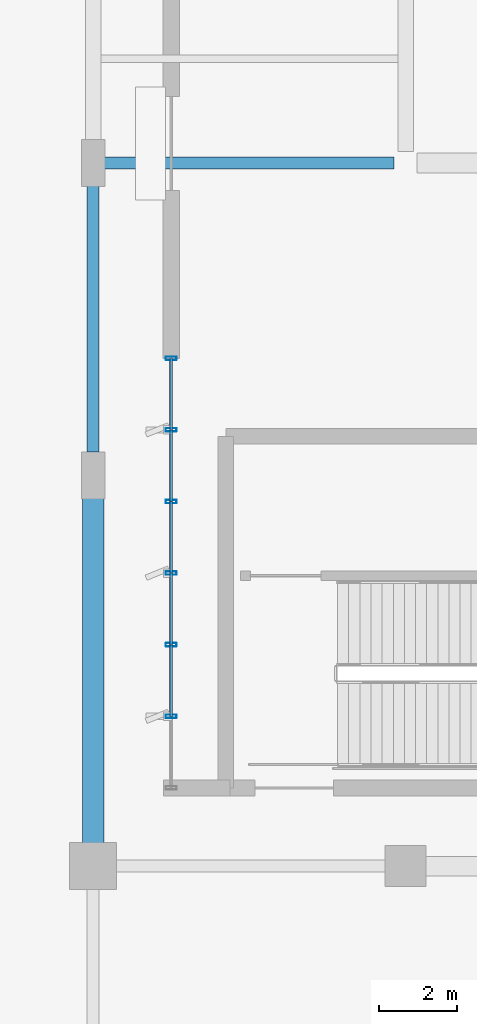
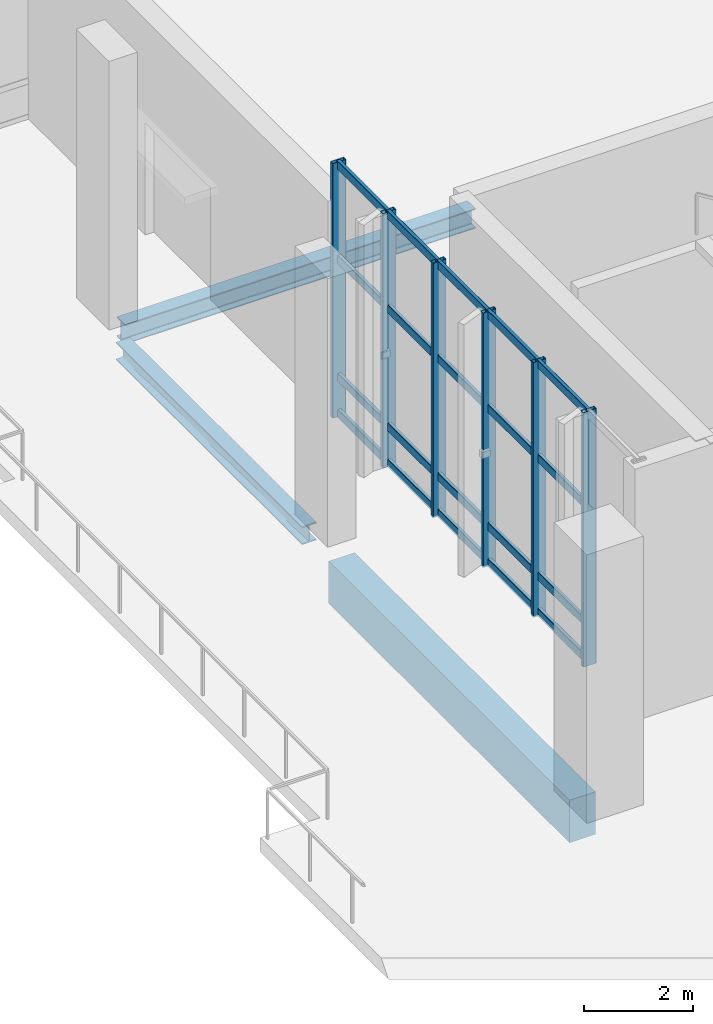
# One storey, part 34 of 163: 26 members, 3 beams, 1 element without a shape of its own.
"""IFC4 building model written with IfcOpenShell, lengths in metres."""

from ifc_helpers import new_model, si_unit, direction, frame, origin, origin_2d, place, context, subcontext, project, spatial, rectangle, hollow_rectangle, i_section, extrude, material, layer, layer_set, material_profile, profile_set, type_object, element, aggregate, save


model = new_model("IFC4")

# Units and contexts
model_context = context("Model", 3, precision=1e-05, world=origin(), true_north=direction((0.0, 1.0)))
body_context = subcontext(model_context, "Body", "Model", "MODEL_VIEW")
ifc_project = project(units=[si_unit("LENGTHUNIT", "METRE"), si_unit("AREAUNIT", "SQUARE_METRE"), si_unit("VOLUMEUNIT", "CUBIC_METRE"), si_unit("PLANEANGLEUNIT", "RADIAN"), si_unit("MASSUNIT", "GRAM", prefix="KILO")], contexts=[model_context])

# Site, building, storey
site_placement = place(None, origin())
site = spatial("IfcSite", under=ifc_project, at=site_placement, CompositionType="ELEMENT")
building_placement = place(site_placement, origin())
building = spatial("IfcBuilding", under=site, at=building_placement, Name="Khorjan Park Terminus", CompositionType="ELEMENT")
storey_placement = place(building_placement, origin())
storey = spatial("IfcBuildingStorey", under=building, at=storey_placement, Name="L00", CompositionType="ELEMENT", Elevation=0.0)

# Beams
ifc_material_1 = material(Name="Steel S355", Category="steel")
ifc_material_profile_1 = material_profile(ifc_material_1, i_section(OverallWidth=0.3, OverallDepth=0.44, WebThickness=0.0115, FlangeThickness=0.021, FilletRadius=0.027, at=origin_2d()), Name="HEA 450")
ifc_profile_set_1 = profile_set([ifc_material_profile_1], Name="Steel S355")
beam_type_1 = type_object("IfcBeamType", Name="BM-HEA450", PredefinedType="BEAM", material=ifc_profile_set_1)
beam_1_placement = place(storey_placement, frame((48.295, 44.0, -0.58), z_axis=(1.0, 0.0, 0.0), x_axis=(0.0, 1.0, 0.0)))
element("IfcBeam", 1, at=beam_1_placement, inside=storey, type_object=beam_type_1, Name="Primary floor girder SB-A45 (L00)", PredefinedType="BEAM", context=body_context, shape_type="SweptSolid", body=[
    extrude(i_section(OverallWidth=0.3, OverallDepth=0.44, WebThickness=0.0115, FlangeThickness=0.021, FilletRadius=0.027, at=origin_2d()), origin(), (0.0, 0.0, 1.0), 7.41),
])
ifc_material_profile_2 = material_profile(ifc_material_1, i_section(OverallWidth=0.3, OverallDepth=0.4, WebThickness=0.0135, FlangeThickness=0.024, FilletRadius=0.027, at=origin_2d()), Name="HEB 400")
ifc_profile_set_2 = profile_set([ifc_material_profile_2], Name="Steel S355")
beam_type_2 = type_object("IfcBeamType", Name="BM-HEB400", PredefinedType="BEAM", material=ifc_profile_set_2)
beam_2_placement = place(storey_placement, frame((48.0, 36.595, -0.52), z_axis=(0.0, 1.0, 0.0), x_axis=(-1.0, 0.0, 0.0)))
element("IfcBeam", 2, at=beam_2_placement, inside=storey, type_object=beam_type_2, Name="Primary floor girder SB-B40 (L00)", PredefinedType="BEAM", context=body_context, shape_type="SweptSolid", body=[
    extrude(i_section(OverallWidth=0.3, OverallDepth=0.4, WebThickness=0.0135, FlangeThickness=0.024, FilletRadius=0.027, at=origin_2d()), origin(), (0.0, 0.0, 1.0), 6.81),
])
ifc_material_2 = material(Name="Concrete C40/50", Category="concrete")
ifc_material_profile_3 = material_profile(ifc_material_2, rectangle(XDim=0.55, YDim=0.95, at=origin_2d()), Name="RC 550x950")
ifc_profile_set_3 = profile_set([ifc_material_profile_3], Name="Concrete C40/50")
beam_type_3 = type_object("IfcBeamType", Name="BM-RC550x950", PredefinedType="BEAM", material=ifc_profile_set_3)
beam_3_placement = place(storey_placement, frame((48.0, 26.595, -0.795), z_axis=(0.0, 1.0, 0.0), x_axis=(-1.0, 0.0, 0.0)))
element("IfcBeam", 3, at=beam_3_placement, inside=storey, type_object=beam_type_3, Name="Primary floor girder GB-95 (L00)", PredefinedType="BEAM", context=body_context, shape_type="SweptSolid", body=[
    extrude(rectangle(XDim=0.55, YDim=0.95, at=origin_2d()), origin(), (0.0, 0.0, 1.0), 8.81),
])

# Curtain wall, members
ifc_material_3 = material(Name="Anodized Bronze Aluminium", Category="aluminium")
ifc_layer = layer(ifc_material_3, 0.22)
ifc_layer_set = layer_set([ifc_layer], Name="Anodized Bronze Aluminium")
curtain_wall_type = type_object("IfcCurtainWallType", Name="CW-CONC-A", PredefinedType="NOTDEFINED", material=ifc_layer_set)
curtain_wall_placement = place(storey_placement, origin())
curtain_wall = element("IfcCurtainWall", 4, at=curtain_wall_placement, inside=storey, type_object=curtain_wall_type, Name="Unitized curtain wall CW-A (CW-V2-W-L00-01)", PredefinedType="NOTDEFINED")
ifc_material_profile_4 = material_profile(ifc_material_3, hollow_rectangle(XDim=0.09, YDim=0.28, WallThickness=0.006, InnerFilletRadius=0.006, OuterFilletRadius=0.012, at=origin_2d()), Name="ALM 90x280x6")
ifc_profile_set_4 = profile_set([ifc_material_profile_4], Name="Anodized Bronze Aluminium")
member_type_1 = type_object("IfcMemberType", Name="ML-ALM-280", PredefinedType="MULLION", material=ifc_profile_set_4)
member_1_placement = place(storey_placement, frame((50.0, 39.0, -0.035), z_axis=(0.0, 0.0, 1.0), x_axis=(0.0, -1.0, 0.0)))
member_1 = element("IfcMember", 5, at=member_1_placement, type_object=member_type_1, Name="Curtain-wall mullion ML-28 (CW-V2-W-L00-01-0)", PredefinedType="MULLION", context=body_context, shape_type="SweptSolid", body=[
    extrude(hollow_rectangle(XDim=0.09, YDim=0.28, WallThickness=0.006, InnerFilletRadius=0.006, OuterFilletRadius=0.012, at=origin_2d()), origin(), (0.0, 0.0, 1.0), 5.69),
])
member_2_placement = place(storey_placement, frame((50.0, 37.1667, -0.035), z_axis=(0.0, 0.0, 1.0), x_axis=(0.0, -1.0, 0.0)))
member_2 = element("IfcMember", 6, at=member_2_placement, type_object=member_type_1, Name="Curtain-wall mullion ML-28 (CW-V2-W-L00-01-1)", PredefinedType="MULLION", context=body_context, shape_type="SweptSolid", body=[
    extrude(hollow_rectangle(XDim=0.09, YDim=0.28, WallThickness=0.006, InnerFilletRadius=0.006, OuterFilletRadius=0.012, at=origin_2d()), origin(), (0.0, 0.0, 1.0), 5.69),
])
member_3_placement = place(storey_placement, frame((50.0, 35.3333, -0.035), z_axis=(0.0, 0.0, 1.0), x_axis=(0.0, -1.0, 0.0)))
member_3 = element("IfcMember", 7, at=member_3_placement, type_object=member_type_1, Name="Curtain-wall mullion ML-28 (CW-V2-W-L00-01-2)", PredefinedType="MULLION", context=body_context, shape_type="SweptSolid", body=[
    extrude(hollow_rectangle(XDim=0.09, YDim=0.28, WallThickness=0.006, InnerFilletRadius=0.006, OuterFilletRadius=0.012, at=origin_2d()), origin(), (0.0, 0.0, 1.0), 5.69),
])
member_4_placement = place(storey_placement, frame((50.0, 33.5, -0.035), z_axis=(0.0, 0.0, 1.0), x_axis=(0.0, -1.0, 0.0)))
member_4 = element("IfcMember", 8, at=member_4_placement, type_object=member_type_1, Name="Curtain-wall mullion ML-28 (CW-V2-W-L00-01-3)", PredefinedType="MULLION", context=body_context, shape_type="SweptSolid", body=[
    extrude(hollow_rectangle(XDim=0.09, YDim=0.28, WallThickness=0.006, InnerFilletRadius=0.006, OuterFilletRadius=0.012, at=origin_2d()), origin(), (0.0, 0.0, 1.0), 5.69),
])
member_5_placement = place(storey_placement, frame((50.0, 31.6667, -0.035), z_axis=(0.0, 0.0, 1.0), x_axis=(0.0, -1.0, 0.0)))
member_5 = element("IfcMember", 9, at=member_5_placement, type_object=member_type_1, Name="Curtain-wall mullion ML-28 (CW-V2-W-L00-01-4)", PredefinedType="MULLION", context=body_context, shape_type="SweptSolid", body=[
    extrude(hollow_rectangle(XDim=0.09, YDim=0.28, WallThickness=0.006, InnerFilletRadius=0.006, OuterFilletRadius=0.012, at=origin_2d()), origin(), (0.0, 0.0, 1.0), 5.69),
])
member_6_placement = place(storey_placement, frame((50.0, 29.8333, -0.035), z_axis=(0.0, 0.0, 1.0), x_axis=(0.0, -1.0, 0.0)))
member_6 = element("IfcMember", 10, at=member_6_placement, type_object=member_type_1, Name="Curtain-wall mullion ML-28 (CW-V2-W-L00-01-5)", PredefinedType="MULLION", context=body_context, shape_type="SweptSolid", body=[
    extrude(hollow_rectangle(XDim=0.09, YDim=0.28, WallThickness=0.006, InnerFilletRadius=0.006, OuterFilletRadius=0.012, at=origin_2d()), origin(), (0.0, 0.0, 1.0), 5.69),
])
ifc_material_profile_5 = material_profile(ifc_material_3, hollow_rectangle(XDim=0.075, YDim=0.185, WallThickness=0.005, InnerFilletRadius=0.005, OuterFilletRadius=0.01, at=origin_2d()), Name="ALT 75x185x5")
ifc_profile_set_5 = profile_set([ifc_material_profile_5], Name="Anodized Bronze Aluminium")
member_type_2 = type_object("IfcMemberType", Name="TR-ALT-185", PredefinedType="USERDEFINED", material=ifc_profile_set_5)
member_7_placement = place(storey_placement, frame((50.0, 39.0, 0.04), z_axis=(0.0, -1.0, 0.0), x_axis=(1.0, 0.0, 0.0)))
member_7 = element("IfcMember", 11, at=member_7_placement, type_object=member_type_2, Name="Curtain-wall transom TR-18 (CW-V2-W-L00-01-0-1)", ObjectType="TRANSOM", PredefinedType="USERDEFINED", context=body_context, shape_type="SweptSolid", body=[
    extrude(hollow_rectangle(XDim=0.075, YDim=0.185, WallThickness=0.005, InnerFilletRadius=0.005, OuterFilletRadius=0.01, at=origin_2d()), origin(), (0.0, 0.0, 1.0), 1.8333),
])
member_8_placement = place(storey_placement, frame((50.0, 39.0, 0.85), z_axis=(0.0, -1.0, 0.0), x_axis=(1.0, 0.0, 0.0)))
member_8 = element("IfcMember", 12, at=member_8_placement, type_object=member_type_2, Name="Curtain-wall transom TR-18 (CW-V2-W-L00-01-0-2)", ObjectType="TRANSOM", PredefinedType="USERDEFINED", context=body_context, shape_type="SweptSolid", body=[
    extrude(hollow_rectangle(XDim=0.075, YDim=0.185, WallThickness=0.005, InnerFilletRadius=0.005, OuterFilletRadius=0.01, at=origin_2d()), origin(), (0.0, 0.0, 1.0), 1.8333),
])
member_9_placement = place(storey_placement, frame((50.0, 39.0, 3.4844), z_axis=(0.0, -1.0, 0.0), x_axis=(1.0, 0.0, 0.0)))
member_9 = element("IfcMember", 13, at=member_9_placement, type_object=member_type_2, Name="Curtain-wall transom TR-18 (CW-V2-W-L00-01-0-3)", ObjectType="TRANSOM", PredefinedType="USERDEFINED", context=body_context, shape_type="SweptSolid", body=[
    extrude(hollow_rectangle(XDim=0.075, YDim=0.185, WallThickness=0.005, InnerFilletRadius=0.005, OuterFilletRadius=0.01, at=origin_2d()), origin(), (0.0, 0.0, 1.0), 1.8333),
])
member_10_placement = place(storey_placement, frame((50.0, 39.0, 5.58), z_axis=(0.0, -1.0, 0.0), x_axis=(1.0, 0.0, 0.0)))
member_10 = element("IfcMember", 14, at=member_10_placement, type_object=member_type_2, Name="Curtain-wall transom TR-18 (CW-V2-W-L00-01-0-4)", ObjectType="TRANSOM", PredefinedType="USERDEFINED", context=body_context, shape_type="SweptSolid", body=[
    extrude(hollow_rectangle(XDim=0.075, YDim=0.185, WallThickness=0.005, InnerFilletRadius=0.005, OuterFilletRadius=0.01, at=origin_2d()), origin(), (0.0, 0.0, 1.0), 1.8333),
])
member_11_placement = place(storey_placement, frame((50.0, 37.1667, 0.04), z_axis=(0.0, -1.0, 0.0), x_axis=(1.0, 0.0, 0.0)))
member_11 = element("IfcMember", 15, at=member_11_placement, type_object=member_type_2, Name="Curtain-wall transom TR-18 (CW-V2-W-L00-01-1-1)", ObjectType="TRANSOM", PredefinedType="USERDEFINED", context=body_context, shape_type="SweptSolid", body=[
    extrude(hollow_rectangle(XDim=0.075, YDim=0.185, WallThickness=0.005, InnerFilletRadius=0.005, OuterFilletRadius=0.01, at=origin_2d()), origin(), (0.0, 0.0, 1.0), 1.8334),
])
member_12_placement = place(storey_placement, frame((50.0, 37.1667, 0.85), z_axis=(0.0, -1.0, 0.0), x_axis=(1.0, 0.0, 0.0)))
member_12 = element("IfcMember", 16, at=member_12_placement, type_object=member_type_2, Name="Curtain-wall transom TR-18 (CW-V2-W-L00-01-1-2)", ObjectType="TRANSOM", PredefinedType="USERDEFINED", context=body_context, shape_type="SweptSolid", body=[
    extrude(hollow_rectangle(XDim=0.075, YDim=0.185, WallThickness=0.005, InnerFilletRadius=0.005, OuterFilletRadius=0.01, at=origin_2d()), origin(), (0.0, 0.0, 1.0), 1.8334),
])
member_13_placement = place(storey_placement, frame((50.0, 37.1667, 3.4844), z_axis=(0.0, -1.0, 0.0), x_axis=(1.0, 0.0, 0.0)))
member_13 = element("IfcMember", 17, at=member_13_placement, type_object=member_type_2, Name="Curtain-wall transom TR-18 (CW-V2-W-L00-01-1-3)", ObjectType="TRANSOM", PredefinedType="USERDEFINED", context=body_context, shape_type="SweptSolid", body=[
    extrude(hollow_rectangle(XDim=0.075, YDim=0.185, WallThickness=0.005, InnerFilletRadius=0.005, OuterFilletRadius=0.01, at=origin_2d()), origin(), (0.0, 0.0, 1.0), 1.8334),
])
member_14_placement = place(storey_placement, frame((50.0, 37.1667, 5.58), z_axis=(0.0, -1.0, 0.0), x_axis=(1.0, 0.0, 0.0)))
member_14 = element("IfcMember", 18, at=member_14_placement, type_object=member_type_2, Name="Curtain-wall transom TR-18 (CW-V2-W-L00-01-1-4)", ObjectType="TRANSOM", PredefinedType="USERDEFINED", context=body_context, shape_type="SweptSolid", body=[
    extrude(hollow_rectangle(XDim=0.075, YDim=0.185, WallThickness=0.005, InnerFilletRadius=0.005, OuterFilletRadius=0.01, at=origin_2d()), origin(), (0.0, 0.0, 1.0), 1.8334),
])
member_15_placement = place(storey_placement, frame((50.0, 35.3333, 0.04), z_axis=(0.0, -1.0, 0.0), x_axis=(1.0, 0.0, 0.0)))
member_15 = element("IfcMember", 19, at=member_15_placement, type_object=member_type_2, Name="Curtain-wall transom TR-18 (CW-V2-W-L00-01-2-1)", ObjectType="TRANSOM", PredefinedType="USERDEFINED", context=body_context, shape_type="SweptSolid", body=[
    extrude(hollow_rectangle(XDim=0.075, YDim=0.185, WallThickness=0.005, InnerFilletRadius=0.005, OuterFilletRadius=0.01, at=origin_2d()), origin(), (0.0, 0.0, 1.0), 1.8333),
])
member_16_placement = place(storey_placement, frame((50.0, 35.3333, 0.85), z_axis=(0.0, -1.0, 0.0), x_axis=(1.0, 0.0, 0.0)))
member_16 = element("IfcMember", 20, at=member_16_placement, type_object=member_type_2, Name="Curtain-wall transom TR-18 (CW-V2-W-L00-01-2-2)", ObjectType="TRANSOM", PredefinedType="USERDEFINED", context=body_context, shape_type="SweptSolid", body=[
    extrude(hollow_rectangle(XDim=0.075, YDim=0.185, WallThickness=0.005, InnerFilletRadius=0.005, OuterFilletRadius=0.01, at=origin_2d()), origin(), (0.0, 0.0, 1.0), 1.8333),
])
member_17_placement = place(storey_placement, frame((50.0, 35.3333, 3.4844), z_axis=(0.0, -1.0, 0.0), x_axis=(1.0, 0.0, 0.0)))
member_17 = element("IfcMember", 21, at=member_17_placement, type_object=member_type_2, Name="Curtain-wall transom TR-18 (CW-V2-W-L00-01-2-3)", ObjectType="TRANSOM", PredefinedType="USERDEFINED", context=body_context, shape_type="SweptSolid", body=[
    extrude(hollow_rectangle(XDim=0.075, YDim=0.185, WallThickness=0.005, InnerFilletRadius=0.005, OuterFilletRadius=0.01, at=origin_2d()), origin(), (0.0, 0.0, 1.0), 1.8333),
])
member_18_placement = place(storey_placement, frame((50.0, 35.3333, 5.58), z_axis=(0.0, -1.0, 0.0), x_axis=(1.0, 0.0, 0.0)))
member_18 = element("IfcMember", 22, at=member_18_placement, type_object=member_type_2, Name="Curtain-wall transom TR-18 (CW-V2-W-L00-01-2-4)", ObjectType="TRANSOM", PredefinedType="USERDEFINED", context=body_context, shape_type="SweptSolid", body=[
    extrude(hollow_rectangle(XDim=0.075, YDim=0.185, WallThickness=0.005, InnerFilletRadius=0.005, OuterFilletRadius=0.01, at=origin_2d()), origin(), (0.0, 0.0, 1.0), 1.8333),
])
member_19_placement = place(storey_placement, frame((50.0, 33.5, 0.04), z_axis=(0.0, -1.0, 0.0), x_axis=(1.0, 0.0, 0.0)))
member_19 = element("IfcMember", 23, at=member_19_placement, type_object=member_type_2, Name="Curtain-wall transom TR-18 (CW-V2-W-L00-01-3-1)", ObjectType="TRANSOM", PredefinedType="USERDEFINED", context=body_context, shape_type="SweptSolid", body=[
    extrude(hollow_rectangle(XDim=0.075, YDim=0.185, WallThickness=0.005, InnerFilletRadius=0.005, OuterFilletRadius=0.01, at=origin_2d()), origin(), (0.0, 0.0, 1.0), 1.8333),
])
member_20_placement = place(storey_placement, frame((50.0, 33.5, 0.85), z_axis=(0.0, -1.0, 0.0), x_axis=(1.0, 0.0, 0.0)))
member_20 = element("IfcMember", 24, at=member_20_placement, type_object=member_type_2, Name="Curtain-wall transom TR-18 (CW-V2-W-L00-01-3-2)", ObjectType="TRANSOM", PredefinedType="USERDEFINED", context=body_context, shape_type="SweptSolid", body=[
    extrude(hollow_rectangle(XDim=0.075, YDim=0.185, WallThickness=0.005, InnerFilletRadius=0.005, OuterFilletRadius=0.01, at=origin_2d()), origin(), (0.0, 0.0, 1.0), 1.8333),
])
member_21_placement = place(storey_placement, frame((50.0, 33.5, 3.4844), z_axis=(0.0, -1.0, 0.0), x_axis=(1.0, 0.0, 0.0)))
member_21 = element("IfcMember", 25, at=member_21_placement, type_object=member_type_2, Name="Curtain-wall transom TR-18 (CW-V2-W-L00-01-3-3)", ObjectType="TRANSOM", PredefinedType="USERDEFINED", context=body_context, shape_type="SweptSolid", body=[
    extrude(hollow_rectangle(XDim=0.075, YDim=0.185, WallThickness=0.005, InnerFilletRadius=0.005, OuterFilletRadius=0.01, at=origin_2d()), origin(), (0.0, 0.0, 1.0), 1.8333),
])
member_22_placement = place(storey_placement, frame((50.0, 33.5, 5.58), z_axis=(0.0, -1.0, 0.0), x_axis=(1.0, 0.0, 0.0)))
member_22 = element("IfcMember", 26, at=member_22_placement, type_object=member_type_2, Name="Curtain-wall transom TR-18 (CW-V2-W-L00-01-3-4)", ObjectType="TRANSOM", PredefinedType="USERDEFINED", context=body_context, shape_type="SweptSolid", body=[
    extrude(hollow_rectangle(XDim=0.075, YDim=0.185, WallThickness=0.005, InnerFilletRadius=0.005, OuterFilletRadius=0.01, at=origin_2d()), origin(), (0.0, 0.0, 1.0), 1.8333),
])
member_23_placement = place(storey_placement, frame((50.0, 31.6667, 0.04), z_axis=(0.0, -1.0, 0.0), x_axis=(1.0, 0.0, 0.0)))
member_23 = element("IfcMember", 27, at=member_23_placement, type_object=member_type_2, Name="Curtain-wall transom TR-18 (CW-V2-W-L00-01-4-1)", ObjectType="TRANSOM", PredefinedType="USERDEFINED", context=body_context, shape_type="SweptSolid", body=[
    extrude(hollow_rectangle(XDim=0.075, YDim=0.185, WallThickness=0.005, InnerFilletRadius=0.005, OuterFilletRadius=0.01, at=origin_2d()), origin(), (0.0, 0.0, 1.0), 1.8334),
])
member_24_placement = place(storey_placement, frame((50.0, 31.6667, 0.85), z_axis=(0.0, -1.0, 0.0), x_axis=(1.0, 0.0, 0.0)))
member_24 = element("IfcMember", 28, at=member_24_placement, type_object=member_type_2, Name="Curtain-wall transom TR-18 (CW-V2-W-L00-01-4-2)", ObjectType="TRANSOM", PredefinedType="USERDEFINED", context=body_context, shape_type="SweptSolid", body=[
    extrude(hollow_rectangle(XDim=0.075, YDim=0.185, WallThickness=0.005, InnerFilletRadius=0.005, OuterFilletRadius=0.01, at=origin_2d()), origin(), (0.0, 0.0, 1.0), 1.8334),
])
member_25_placement = place(storey_placement, frame((50.0, 31.6667, 3.4844), z_axis=(0.0, -1.0, 0.0), x_axis=(1.0, 0.0, 0.0)))
member_25 = element("IfcMember", 29, at=member_25_placement, type_object=member_type_2, Name="Curtain-wall transom TR-18 (CW-V2-W-L00-01-4-3)", ObjectType="TRANSOM", PredefinedType="USERDEFINED", context=body_context, shape_type="SweptSolid", body=[
    extrude(hollow_rectangle(XDim=0.075, YDim=0.185, WallThickness=0.005, InnerFilletRadius=0.005, OuterFilletRadius=0.01, at=origin_2d()), origin(), (0.0, 0.0, 1.0), 1.8334),
])
member_26_placement = place(storey_placement, frame((50.0, 31.6667, 5.58), z_axis=(0.0, -1.0, 0.0), x_axis=(1.0, 0.0, 0.0)))
member_26 = element("IfcMember", 30, at=member_26_placement, type_object=member_type_2, Name="Curtain-wall transom TR-18 (CW-V2-W-L00-01-4-4)", ObjectType="TRANSOM", PredefinedType="USERDEFINED", context=body_context, shape_type="SweptSolid", body=[
    extrude(hollow_rectangle(XDim=0.075, YDim=0.185, WallThickness=0.005, InnerFilletRadius=0.005, OuterFilletRadius=0.01, at=origin_2d()), origin(), (0.0, 0.0, 1.0), 1.8334),
])
aggregate(curtain_wall, [member_1, member_2, member_3, member_4, member_5, member_6, member_7, member_8, member_9, member_10, member_11, member_12, member_13, member_14, member_15, member_16, member_17, member_18, member_19, member_20, member_21, member_22, member_23, member_24, member_25, member_26])

save(model, "model.ifc")
